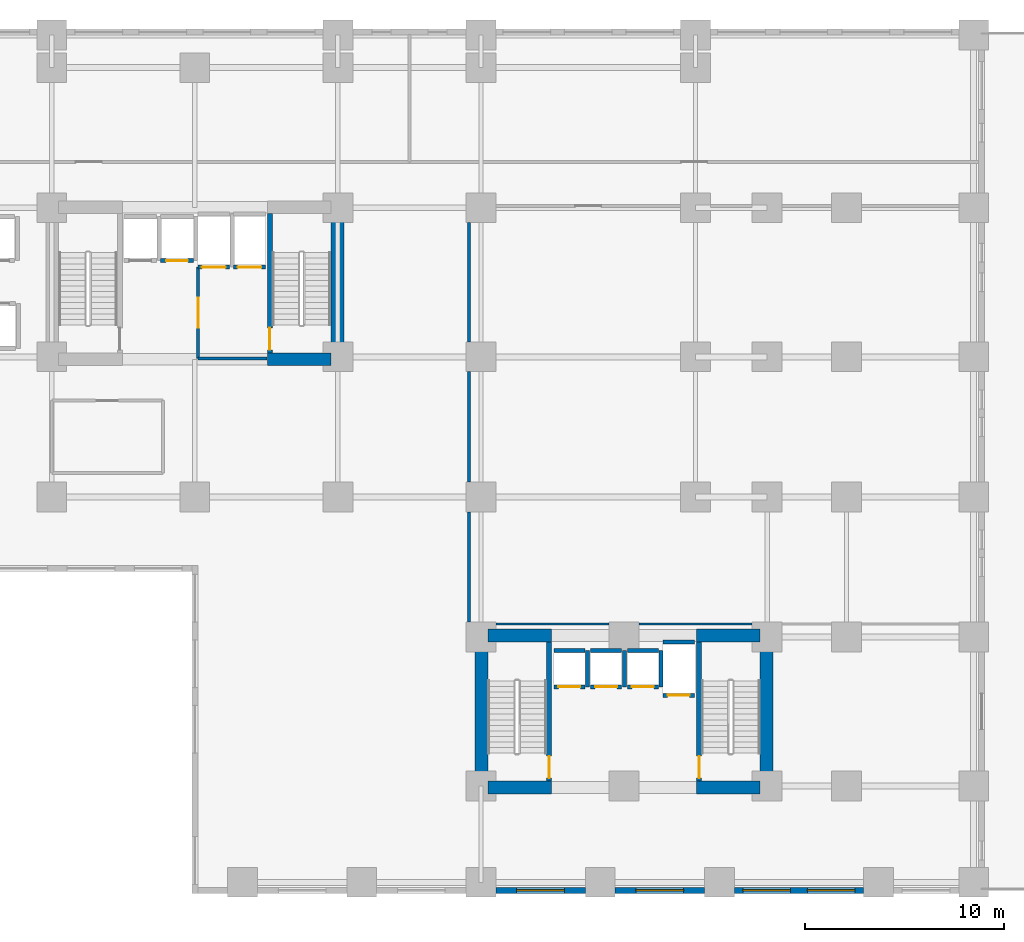
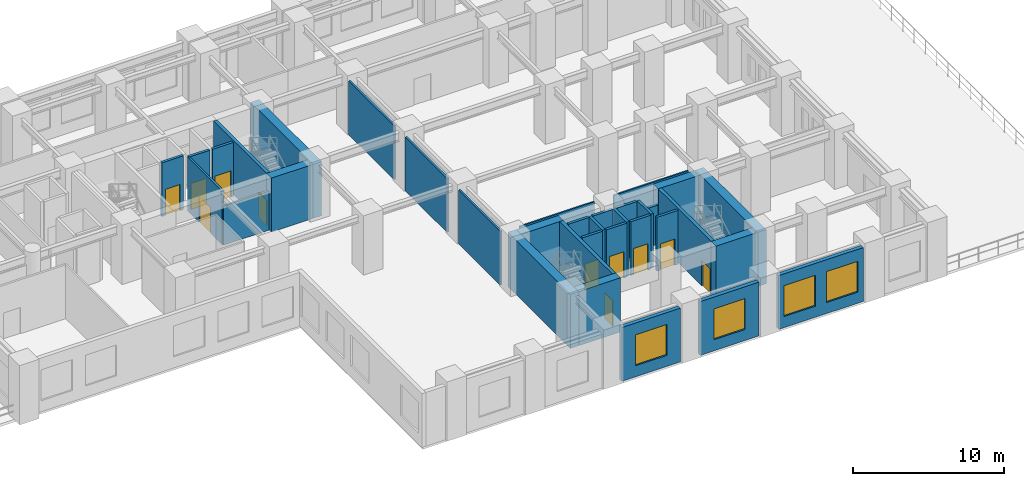
# One storey, part 4 of 10: 35 walls, 11 doors, 4 windows, 15 openings.
"""IFC4 building model written with IfcOpenShell, lengths in metres."""

import ifcopenshell
import ifcopenshell.guid

model = None  # the IFC model being written
_history = None  # IfcOwnerHistory: only IFC2X3 demands one
_inside = {}  # id of a spatial element -> (the spatial element, [elements in it])
_under = {}  # id of a project, library or spatial element -> (it, [spatial elements below it])
_declared = {}  # id of a project -> (the project, [libraries it declares])
_typed = {}  # id of a type object -> (the type object, [elements of that type])
_made_of = {}  # id of a material, layer set ... -> (it, [elements and type objects made of it])


def new_model(schema):
    """Start an empty IFC model of exactly this schema.

    Asked for "IFC4X3", IfcOpenShell would pick the latest addendum, in which some entities
    have other attributes; the version numbers below select the first issue.
    IFC2X3 requires an IfcOwnerHistory on every rooted entity: one is made here for all.
    """
    global model, _history
    if schema == "IFC4X3":
        model = ifcopenshell.file(schema_version=(4, 3, 0, 0))
    else:
        model = ifcopenshell.file(schema=schema)
    _inside.clear()
    _under.clear()
    _declared.clear()
    _typed.clear()
    _made_of.clear()
    _history = None
    if model.schema == "IFC2X3":
        org = make("IfcOrganization", Name="unknown")
        user = make(
            "IfcPersonAndOrganization",
            ThePerson=make("IfcPerson", FamilyName="unknown"),
            TheOrganization=org,
        )
        app = make(
            "IfcApplication",
            ApplicationDeveloper=org,
            Version="unknown",
            ApplicationFullName="unknown",
            ApplicationIdentifier="unknown",
        )
        _history = make(
            "IfcOwnerHistory",
            OwningUser=user,
            OwningApplication=app,
            ChangeAction="ADDED",
            CreationDate=0,
        )
    return model


def make(cls, **values):
    """One entity of the class cls with the attributes given. An attribute that is None is left unset."""
    return model.create_entity(
        cls, **{name: value for name, value in values.items() if value is not None}
    )


def rooted(cls, **values):
    """An entity with a GlobalId (a new one), such as an element, a storey or a relation."""
    return make(cls, GlobalId=ifcopenshell.guid.new(), OwnerHistory=_history, **values)


def si_unit(unit_type, name, prefix=None):
    """IfcSIUnit, for example si_unit("LENGTHUNIT", "METRE", prefix="MILLI")."""
    return make("IfcSIUnit", UnitType=unit_type, Prefix=prefix, Name=name)


def assignment(units):
    """IfcUnitAssignment: the units of a project."""
    return None if units is None else make("IfcUnitAssignment", Units=units)


def point(xyz):
    """IfcCartesianPoint."""
    return None if xyz is None else make("IfcCartesianPoint", Coordinates=xyz)


def direction(xyz):
    """IfcDirection."""
    return None if xyz is None else make("IfcDirection", DirectionRatios=xyz)


def frame(location, z_axis=None, x_axis=None):
    """IfcAxis2Placement3D, a coordinate frame: its origin and axes. An axis left out is left unset."""
    return make(
        "IfcAxis2Placement3D",
        Location=point(location),
        Axis=direction(z_axis),
        RefDirection=direction(x_axis),
    )


def frame_2d(location, x_axis=None):
    """IfcAxis2Placement2D, a coordinate frame in the plane: its origin and x axis."""
    return make(
        "IfcAxis2Placement2D", Location=point(location), RefDirection=direction(x_axis)
    )


def origin():
    """The frame at (0, 0, 0) with its axes left unset."""
    return frame((0.0, 0.0, 0.0))


def place(relative_to, where):
    """IfcLocalPlacement: puts the frame where relative to a parent placement (None: the world)."""
    return make(
        "IfcLocalPlacement", PlacementRelTo=relative_to, RelativePlacement=where
    )


def context(
    kind, dimensions, precision=None, world=None, true_north=None, identifier=None
):
    """IfcGeometricRepresentationContext, for example the 3D "Model" context."""
    return make(
        "IfcGeometricRepresentationContext",
        ContextIdentifier=identifier,
        ContextType=kind,
        CoordinateSpaceDimension=dimensions,
        Precision=precision,
        WorldCoordinateSystem=world,
        TrueNorth=true_north,
    )


def subcontext(parent, identifier, kind, view, scale=None):
    """IfcGeometricRepresentationSubContext, for example "Body" below "Model"."""
    return make(
        "IfcGeometricRepresentationSubContext",
        ContextIdentifier=identifier,
        ContextType=kind,
        ParentContext=parent,
        TargetScale=scale,
        TargetView=view,
    )


def project(units=None, contexts=None):
    """IfcProject with its units and contexts."""
    return rooted(
        "IfcProject",
        Name="project",
        RepresentationContexts=contexts,
        UnitsInContext=assignment(units),
    )


def spatial(cls, under=None, at=None, **own):
    """A site, building, storey or space (cls), placed at a placement, below another one or the project."""
    s = rooted(cls, ObjectPlacement=at, **own)
    if under is not None:
        _under.setdefault(under.id(), (under, []))[1].append(s)
    return s


def profile(cls, at=None, kind="AREA", **sizes):
    """A parametric profile (cls). Its sizes go by their IFC names, for example OverallWidth=200.0."""
    return make(cls, ProfileType=kind, Position=at, **sizes)


def rectangle(**sizes):
    """IfcRectangleProfileDef."""
    return profile("IfcRectangleProfileDef", **sizes)


def extrude(swept, where, along, depth):
    """IfcExtrudedAreaSolid: the profile swept, set in the frame where, extruded along a direction by depth."""
    return make(
        "IfcExtrudedAreaSolid",
        SweptArea=swept,
        Position=where,
        ExtrudedDirection=direction(along),
        Depth=depth,
    )


def shape(context_of_items, identifier, shape_type, items):
    """IfcShapeRepresentation: the items that make up one representation, for example the "Body"."""
    return make(
        "IfcShapeRepresentation",
        ContextOfItems=context_of_items,
        RepresentationIdentifier=identifier,
        RepresentationType=shape_type,
        Items=items,
    )


def material(Name=None, Category=None):
    """IfcMaterial."""
    return make("IfcMaterial", Name=Name, Category=Category)


def layer(
    of_material, thickness, ventilated=None, Name=None, Category=None, Priority=None
):
    """IfcMaterialLayer: one layer of a wall or slab, of a material (None: an air gap)."""
    return make(
        "IfcMaterialLayer",
        Material=of_material,
        LayerThickness=thickness,
        IsVentilated=ventilated,
        Name=Name,
        Category=Category,
        Priority=Priority,
    )


def layer_set(layers, Name=None):
    """IfcMaterialLayerSet."""
    return make("IfcMaterialLayerSet", MaterialLayers=layers, LayerSetName=Name)


def made_of(thing, what):
    """Note that an element or type object is made of a material, layer set ...; save() writes the relation."""
    if what is not None:
        _made_of.setdefault(what.id(), (what, []))[1].append(thing)
    return thing


def type_object(cls, material=None, **own):
    """A type object (cls), such as IfcWallType, which elements share."""
    return made_of(rooted(cls, **own), material)


def element(
    cls,
    number,
    at=None,
    inside=None,
    cuts=None,
    type_object=None,
    material=None,
    context=None,
    identifier="Body",
    shape_type=None,
    held_by="IfcProductDefinitionShape",
    body=None,
    shapes=None,
    **own,
):
    """One element of the class cls, such as IfcWall. Its Tag is "e" and its number.

    at: its placement. inside: the storey or other place that contains it. cuts: it is an
    opening in that element (IfcRelVoidsElement). A single representation is given by context,
    identifier, shape_type and body (its items); several are given by shapes. held_by: the class
    of the entity that holds the representations. save() writes the other relations.
    """
    e = rooted(cls, Tag="e%d" % number, ObjectPlacement=at, **own)
    if body is not None:
        shapes = [shape(context, identifier, shape_type, body)]
    if shapes is not None:
        e.Representation = make(held_by, Representations=shapes)
    if inside is not None:
        _inside.setdefault(inside.id(), (inside, []))[1].append(e)
    if cuts is not None:
        rooted(
            "IfcRelVoidsElement", RelatingBuildingElement=cuts, RelatedOpeningElement=e
        )
    if type_object is not None:
        _typed.setdefault(type_object.id(), (type_object, []))[1].append(e)
    return made_of(e, material)


def fill(opening, filler):
    """IfcRelFillsElement: the door or window that sits in an opening."""
    return rooted(
        "IfcRelFillsElement",
        RelatingOpeningElement=opening,
        RelatedBuildingElement=filler,
    )


def aggregate(whole, parts):
    """IfcRelAggregates: a whole, such as a stair, and the parts it consists of."""
    return rooted("IfcRelAggregates", RelatingObject=whole, RelatedObjects=parts)


def save(model, path):
    """Write the relations noted so far, then the file.

    IfcRelAggregates (storeys below a building ...), IfcRelContainedInSpatialStructure (elements
    in a storey), IfcRelDefinesByType, IfcRelAssociatesMaterial and IfcRelDeclares: one each for
    every whole, place, type object, material and project.
    """
    for whole, parts in _under.values():
        aggregate(whole, parts)
    for where, things in _inside.values():
        rooted(
            "IfcRelContainedInSpatialStructure",
            RelatedElements=things,
            RelatingStructure=where,
        )
    for kind, things in _typed.values():
        rooted("IfcRelDefinesByType", RelatedObjects=things, RelatingType=kind)
    for what, things in _made_of.values():
        rooted("IfcRelAssociatesMaterial", RelatedObjects=things, RelatingMaterial=what)
    for by, libraries in _declared.values():
        rooted("IfcRelDeclares", RelatingContext=by, RelatedDefinitions=libraries)
    model.write(path)


model = new_model("IFC4")

# Units and contexts
model_context = context("Model", 3, precision=1e-05, world=origin(), true_north=direction((0.0, 1.0)))
body_context = subcontext(model_context, "Body", "Model", "MODEL_VIEW")
ifc_project = project(units=[si_unit("LENGTHUNIT", "METRE"), si_unit("AREAUNIT", "SQUARE_METRE"), si_unit("VOLUMEUNIT", "CUBIC_METRE"), si_unit("PLANEANGLEUNIT", "RADIAN"), si_unit("MASSUNIT", "GRAM", prefix="KILO")], contexts=[model_context])

# Site, building, storey
site_placement = place(None, origin())
site = spatial("IfcSite", under=ifc_project, at=site_placement, CompositionType="ELEMENT")
building_placement = place(site_placement, origin())
building = spatial("IfcBuilding", under=site, at=building_placement, Name="Kaliganga Portal Commons", CompositionType="ELEMENT")
storey_placement = place(building_placement, frame((0.0, 0.0, 15.0)))
storey = spatial("IfcBuildingStorey", under=building, at=storey_placement, Name="L03", CompositionType="ELEMENT", Elevation=15.0)

# Walls
ifc_material_1 = material(Name="Concrete C70/85", Category="concrete")
ifc_layer_1 = layer(ifc_material_1, 0.64990234375)
ifc_layer_set_1 = layer_set([ifc_layer_1], Name="Concrete C70/85")
wall_type_1 = type_object("IfcWallType", Name="WL-CORE-650", PredefinedType="SHEAR", material=ifc_layer_set_1)
wall_1_placement = place(storey_placement, frame((28.77490234375, 28.199951171875, 0.0), z_axis=(0.0, 0.0, 1.0), x_axis=(0.0, 1.0, 0.0)))
element("IfcWall", 1, at=wall_1_placement, inside=storey, type_object=wall_type_1, Name="Core A East Shear Wall L03", PredefinedType="SHEAR", context=body_context, shape_type="SweptSolid", body=[
    extrude(rectangle(XDim=8.300048828125, YDim=0.64990234375, at=frame_2d((4.14990234375, 0.0))), origin(), (0.0, 0.0, 1.0), 4.3798828125),
])
wall_2_placement = place(storey_placement, frame((25.25, 28.52490234375, 0.0), z_axis=(0.0, 0.0, 1.0), x_axis=(1.0, 0.0, 0.0)))
element("IfcWall", 2, at=wall_2_placement, inside=storey, type_object=wall_type_1, Name="Core A S-East Shear Wall L03", PredefinedType="SHEAR", context=body_context, shape_type="SweptSolid", body=[
    extrude(rectangle(XDim=3.199951171875, YDim=0.64990234375, at=frame_2d((1.60009765625, 0.0))), origin(), (0.0, 0.0, 1.0), 4.3798828125),
])
for number, where, z_axis, x_axis, name in (
    (3, (36.02490234375, 6.64990234375, 0.0), (0.0, 0.0, 1.0), (0.0, 1.0, 0.0), "Core B West Shear Wall L03"),
    (4, (50.375, 6.64990234375, 0.0), (0.0, 0.0, 1.0), (0.0, 1.0, 0.0), "Core B East Shear Wall L03"),
):
    element("IfcWall", number, at=place(storey_placement, frame(where, z_axis=z_axis, x_axis=x_axis)), inside=storey, type_object=wall_type_1, Name=name, PredefinedType="SHEAR", context=body_context, shape_type="SweptSolid", body=[
        extrude(rectangle(XDim=8.300048828125, YDim=0.64990234375, at=frame_2d((4.14990234375, 0.0))), origin(), (0.0, 0.0, 1.0), 4.3798828125),
    ])
for number, where, z_axis, x_axis, name in (
    (5, (36.35009765625, 6.97509765625, 0.0), (0.0, 0.0, 1.0), (1.0, 0.0, 0.0), "Core B S-West Shear Wall L03"),
    (6, (46.85009765625, 6.97509765625, 0.0), (0.0, 0.0, 1.0), (1.0, 0.0, 0.0), "Core B S-East Shear Wall L03"),
    (7, (36.35009765625, 14.625, 0.0), (0.0, 0.0, 1.0), (1.0, 0.0, 0.0), "Core B N-West Shear Wall L03"),
    (8, (46.85009765625, 14.625, 0.0), (0.0, 0.0, 1.0), (1.0, 0.0, 0.0), "Core B N-East Shear Wall L03"),
):
    element("IfcWall", number, at=place(storey_placement, frame(where, z_axis=z_axis, x_axis=x_axis)), inside=storey, type_object=wall_type_1, Name=name, PredefinedType="SHEAR", context=body_context, shape_type="SweptSolid", body=[
        extrude(rectangle(XDim=3.199951171875, YDim=0.64990234375, at=frame_2d((1.60009765625, 0.0))), origin(), (0.0, 0.0, 1.0), 4.3798828125),
    ])

# Wall, opening, window
ifc_material_2 = material(Name="Precast concrete C40/50", Category="concrete")
ifc_layer_2 = layer(ifc_material_2, 0.300048828125)
ifc_layer_set_2 = layer_set([ifc_layer_2], Name="Precast concrete C40/50")
wall_type_2 = type_object("IfcWallType", Name="WL-EXT-POD-300", PredefinedType="STANDARD", material=ifc_layer_set_2)
wall_3_placement = place(storey_placement, frame((41.2490234375, 1.800048828125, 0.0), z_axis=(0.0, 0.0, 1.0), x_axis=(-1.0, 0.0, 0.0)))
wall_3 = element("IfcWall", 9, at=wall_3_placement, inside=storey, type_object=wall_type_2, Name="Exterior Envelope Wall L03 P1-E00-S4", PredefinedType="STANDARD", context=body_context, shape_type="SweptSolid", body=[
    extrude(rectangle(XDim=4.498046875, YDim=0.300048828125, at=frame_2d((2.2490234375, 0.0))), origin(), (0.0, 0.0, 1.0), 4.360107421875),
])
opening_1_placement = place(wall_3_placement, frame((1.049072265625, 0.0, 0.89990234375)))
opening_1 = element("IfcOpeningElement", 10, at=opening_1_placement, cuts=wall_3, Name="Opening W-05", PredefinedType="OPENING", context=body_context, shape_type="SweptSolid", body=[
    extrude(rectangle(XDim=2.39990234375, YDim=2.5, at=frame_2d((1.199951171875, 1.25))), frame((0.0, 0.16015625, 0.0), z_axis=(0.0, -1.0, 0.0), x_axis=(1.0, 0.0, 0.0)), (0.0, 0.0, 1.0), 0.320068359375),
])
ifc_material_3 = material(Name="Thermally Broken Aluminium and Low-E Double Glazing", Category="aluminium")
window_type = type_object("IfcWindowType", Name="WIN-POD-2400", PartitioningType="TRIPLE_PANEL_VERTICAL", PredefinedType="WINDOW", material=ifc_material_3)
window_1_placement = place(opening_1_placement, origin())
window_1 = element("IfcWindow", 11, at=window_1_placement, inside=storey, type_object=window_type, Name="Facade Window L03-P1E00S4-00", OverallHeight=2.5, OverallWidth=2.39990234375, PartitioningType="SINGLE_PANEL", PredefinedType="WINDOW", context=body_context, shape_type="SweptSolid", body=[
    extrude(rectangle(XDim=2.39990234375, YDim=2.5, at=frame_2d((1.199951171875, 1.25))), frame((0.0, 0.030029296875, 0.0), z_axis=(0.0, -1.0, 0.0), x_axis=(1.0, 0.0, 0.0)), (0.0, 0.0, 1.0), 0.06005859375),
])
fill(opening_1, window_1)

wall_4_placement = place(storey_placement, frame((47.2490234375, 1.800048828125, 0.0), z_axis=(0.0, 0.0, 1.0), x_axis=(-1.0, 0.0, 0.0)))
wall_4 = element("IfcWall", 12, at=wall_4_placement, inside=storey, type_object=wall_type_2, Name="Exterior Envelope Wall L03 P1-E00-S5", PredefinedType="STANDARD", context=body_context, shape_type="SweptSolid", body=[
    extrude(rectangle(XDim=4.498046875, YDim=0.300048828125, at=frame_2d((2.2490234375, 0.0))), origin(), (0.0, 0.0, 1.0), 4.360107421875),
])
opening_2_placement = place(wall_4_placement, frame((1.049072265625, 0.0, 0.89990234375)))
opening_2 = element("IfcOpeningElement", 13, at=opening_2_placement, cuts=wall_4, Name="Opening W-05", PredefinedType="OPENING", context=body_context, shape_type="SweptSolid", body=[
    extrude(rectangle(XDim=2.39990234375, YDim=2.5, at=frame_2d((1.199951171875, 1.25))), frame((0.0, 0.16015625, 0.0), z_axis=(0.0, -1.0, 0.0), x_axis=(1.0, 0.0, 0.0)), (0.0, 0.0, 1.0), 0.320068359375),
])
window_2_placement = place(opening_2_placement, origin())
window_2 = element("IfcWindow", 14, at=window_2_placement, inside=storey, type_object=window_type, Name="Facade Window L03-P1E00S5-00", OverallHeight=2.5, OverallWidth=2.39990234375, PartitioningType="SINGLE_PANEL", PredefinedType="WINDOW", context=body_context, shape_type="SweptSolid", body=[
    extrude(rectangle(XDim=2.39990234375, YDim=2.5, at=frame_2d((1.199951171875, 1.25))), frame((0.0, 0.030029296875, 0.0), z_axis=(0.0, -1.0, 0.0), x_axis=(1.0, 0.0, 0.0)), (0.0, 0.0, 1.0), 0.06005859375),
])
fill(opening_2, window_2)

# Wall, openings, windows
wall_5_placement = place(storey_placement, frame((55.2490234375, 1.800048828125, 0.0), z_axis=(0.0, 0.0, 1.0), x_axis=(-1.0, 0.0, 0.0)))
wall_5 = element("IfcWall", 15, at=wall_5_placement, inside=storey, type_object=wall_type_2, Name="Exterior Envelope Wall L03 P1-E00-S6", PredefinedType="STANDARD", context=body_context, shape_type="SweptSolid", body=[
    extrude(rectangle(XDim=6.498046875, YDim=0.300048828125, at=frame_2d((3.2490234375, 0.0))), origin(), (0.0, 0.0, 1.0), 4.360107421875),
])
opening_3_placement = place(wall_5_placement, frame((0.424560546875, 0.0, 0.89990234375)))
opening_3 = element("IfcOpeningElement", 16, at=opening_3_placement, cuts=wall_5, Name="Opening W-05", PredefinedType="OPENING", context=body_context, shape_type="SweptSolid", body=[
    extrude(rectangle(XDim=2.39990234375, YDim=2.5, at=frame_2d((1.199951171875, 1.25))), frame((0.0, 0.16015625, 0.0), z_axis=(0.0, -1.0, 0.0), x_axis=(1.0, 0.0, 0.0)), (0.0, 0.0, 1.0), 0.320068359375),
])
opening_4_placement = place(wall_5_placement, frame((3.673583984375, 0.0, 0.89990234375)))
opening_4 = element("IfcOpeningElement", 17, at=opening_4_placement, cuts=wall_5, Name="Opening W-05", PredefinedType="OPENING", context=body_context, shape_type="SweptSolid", body=[
    extrude(rectangle(XDim=2.39990234375, YDim=2.5, at=frame_2d((1.199951171875, 1.25))), frame((0.0, 0.16015625, 0.0), z_axis=(0.0, -1.0, 0.0), x_axis=(1.0, 0.0, 0.0)), (0.0, 0.0, 1.0), 0.320068359375),
])
window_3_placement = place(opening_3_placement, origin())
window_3 = element("IfcWindow", 18, at=window_3_placement, inside=storey, type_object=window_type, Name="Facade Window L03-P1E00S6-00", OverallHeight=2.5, OverallWidth=2.39990234375, PartitioningType="SINGLE_PANEL", PredefinedType="WINDOW", context=body_context, shape_type="SweptSolid", body=[
    extrude(rectangle(XDim=2.39990234375, YDim=2.5, at=frame_2d((1.199951171875, 1.25))), frame((0.0, 0.030029296875, 0.0), z_axis=(0.0, -1.0, 0.0), x_axis=(1.0, 0.0, 0.0)), (0.0, 0.0, 1.0), 0.06005859375),
])
fill(opening_3, window_3)
window_4_placement = place(opening_4_placement, origin())
window_4 = element("IfcWindow", 19, at=window_4_placement, inside=storey, type_object=window_type, Name="Facade Window L03-P1E00S6-01", OverallHeight=2.5, OverallWidth=2.39990234375, PartitioningType="SINGLE_PANEL", PredefinedType="WINDOW", context=body_context, shape_type="SweptSolid", body=[
    extrude(rectangle(XDim=2.39990234375, YDim=2.5, at=frame_2d((1.199951171875, 1.25))), frame((0.0, 0.030029296875, 0.0), z_axis=(0.0, -1.0, 0.0), x_axis=(1.0, 0.0, 0.0)), (0.0, 0.0, 1.0), 0.06005859375),
])
fill(opening_4, window_4)

# Walls
ifc_material_4 = material(Name="Fire-Rated Gypsum Board on Steel Stud", Category="steel")
ifc_layer_3 = layer(ifc_material_4, 0.14990234375)
ifc_layer_set_3 = layer_set([ifc_layer_3], Name="Fire-Rated Gypsum Board on Steel Stud")
wall_type_3 = type_object("IfcWallType", Name="WL-PART-CORR-150", PredefinedType="PARTITIONING", material=ifc_layer_set_3)
wall_6_placement = place(storey_placement, frame((35.39990234375, 15.300048828125, 0.0), z_axis=(0.0, 0.0, 1.0), x_axis=(0.0, 1.0, 0.0)))
element("IfcWall", 20, at=wall_6_placement, inside=storey, type_object=wall_type_3, Name="Interior Partition L03-007", PredefinedType="PARTITIONING", context=body_context, shape_type="SweptSolid", body=[
    extrude(rectangle(XDim=5.550048828125, YDim=0.14990234375, at=frame_2d((2.77490234375, 0.0))), origin(), (0.0, 0.0, 1.0), 4.360107421875),
])
wall_7_placement = place(storey_placement, frame((35.39990234375, 22.35009765625, 0.0), z_axis=(0.0, 0.0, 1.0), x_axis=(0.0, 1.0, 0.0)))
element("IfcWall", 21, at=wall_7_placement, inside=storey, type_object=wall_type_3, Name="Interior Partition L03-008", PredefinedType="PARTITIONING", context=body_context, shape_type="SweptSolid", body=[
    extrude(rectangle(XDim=5.5498046875, YDim=0.14990234375, at=frame_2d((2.77490234375, 0.0))), origin(), (0.0, 0.0, 1.0), 4.360107421875),
])
wall_8_placement = place(storey_placement, frame((35.39990234375, 29.39990234375, 0.0), z_axis=(0.0, 0.0, 1.0), x_axis=(0.0, 1.0, 0.0)))
element("IfcWall", 22, at=wall_8_placement, inside=storey, type_object=wall_type_3, Name="Interior Partition L03-009", PredefinedType="PARTITIONING", context=body_context, shape_type="SweptSolid", body=[
    extrude(rectangle(XDim=6.0, YDim=0.14990234375, at=frame_2d((3.0, 0.0))), origin(), (0.0, 0.0, 1.0), 4.360107421875),
])

# Wall, opening, door
wall_9_placement = place(storey_placement, frame((21.760009765625, 28.56005859375, 0.0), z_axis=(0.0, 0.0, 1.0), x_axis=(0.0, 1.0, 0.0)))
wall_9 = element("IfcWall", 23, at=wall_9_placement, inside=storey, type_object=wall_type_3, Name="Interior Partition L03-024", PredefinedType="PARTITIONING", context=body_context, shape_type="SweptSolid", body=[
    extrude(rectangle(XDim=4.599853515625, YDim=0.14990234375, at=frame_2d((2.2998046875, 0.0))), origin(), (0.0, 0.0, 1.0), 4.360107421875),
])
opening_5_placement = place(wall_9_placement, frame((1.550048828125, 0.0, 0.0)))
opening_5 = element("IfcOpeningElement", 24, at=opening_5_placement, cuts=wall_9, Name="Opening FD-01", PredefinedType="OPENING", context=body_context, shape_type="SweptSolid", body=[
    extrude(rectangle(XDim=1.5, YDim=2.10009765625, at=frame_2d((0.75, 1.050048828125))), frame((0.0, 0.0849609375, 0.0), z_axis=(0.0, -1.0, 0.0), x_axis=(1.0, 0.0, 0.0)), (0.0, 0.0, 1.0), 0.169921875),
])
ifc_material_5 = material(Name="Fire-Rated Hardwood and Georgian-Wired Vision Panel", Category="wood")
door_type_1 = type_object("IfcDoorType", Name="DR-LOBBY-1500", OperationType="DOUBLE_DOOR_SINGLE_SWING", PredefinedType="DOOR", material=ifc_material_5)
door_1_placement = place(opening_5_placement, origin())
door_1 = element("IfcDoor", 25, at=door_1_placement, inside=storey, type_object=door_type_1, Name="Interior Door L03-FFLOB_A", OperationType="DOUBLE_DOOR_SINGLE_SWING", OverallHeight=2.10009765625, OverallWidth=1.5, PredefinedType="DOOR", context=body_context, shape_type="SweptSolid", body=[
    extrude(rectangle(XDim=1.5, YDim=2.10009765625, at=frame_2d((0.75, 1.050048828125))), frame((0.0, 0.02490234375, 0.0), z_axis=(0.0, -1.0, 0.0), x_axis=(1.0, 0.0, 0.0)), (0.0, 0.0, 1.0), 0.050048828125),
])
fill(opening_5, door_1)

# Walls
wall_10_placement = place(storey_placement, frame((21.760009765625, 28.56005859375, 0.0), z_axis=(0.0, 0.0, 1.0), x_axis=(1.0, 0.0, 0.0)))
element("IfcWall", 26, at=wall_10_placement, inside=storey, type_object=wall_type_3, Name="Interior Partition L03-027", PredefinedType="PARTITIONING", context=body_context, shape_type="SweptSolid", body=[
    extrude(rectangle(XDim=3.47998046875, YDim=0.14990234375, at=frame_2d((1.739990234375, 0.0))), origin(), (0.0, 0.0, 1.0), 3.159912109375),
])
ifc_material_6 = material(Name="Moisture-Resistant Gypsum Partition", Category="gypsum")
ifc_layer_4 = layer(ifc_material_6, 0.114990234375)
ifc_layer_set_4 = layer_set([ifc_layer_4], Name="Moisture-Resistant Gypsum Partition")
wall_type_4 = type_object("IfcWallType", Name="WL-PART-ROOM-115", PredefinedType="PARTITIONING", material=ifc_layer_set_4)
for number, where, z_axis, x_axis, name in (
    (27, (36.75, 15.199951171875, 0.0), (0.0, 0.0, 1.0), (1.0, 0.0, 0.0), "Interior Partition L03-017"),
    (28, (43.949951171875, 15.199951171875, 0.0), (0.0, 0.0, 1.0), (1.0, 0.0, 0.0), "Interior Partition L03-018"),
):
    element("IfcWall", number, at=place(storey_placement, frame(where, z_axis=z_axis, x_axis=x_axis)), inside=storey, type_object=wall_type_4, Name=name, PredefinedType="PARTITIONING", context=body_context, shape_type="SweptSolid", body=[
        extrude(rectangle(XDim=5.699951171875, YDim=0.114990234375, at=frame_2d((2.85009765625, 0.0))), origin(), (0.0, 0.0, 1.0), 4.360107421875),
    ])

# Wall, opening, door
ifc_material_7 = material(Name="Fire-Rated Shaftwall Masonry Assembly", Category="masonry")
ifc_layer_5 = layer(ifc_material_7, 0.199951171875)
ifc_layer_set_5 = layer_set([ifc_layer_5], Name="Fire-Rated Shaftwall Masonry Assembly")
wall_type_5 = type_object("IfcWallType", Name="WL-SHAFT-200", PredefinedType="PARTITIONING", material=ifc_layer_set_5)
wall_11_placement = place(storey_placement, frame((19.875, 33.485107421875, 0.0), z_axis=(0.0, 0.0, 1.0), x_axis=(1.0, 0.0, 0.0)))
wall_11 = element("IfcWall", 29, at=wall_11_placement, inside=storey, type_object=wall_type_5, Name="Lift PL-A2 Hoistway Shaft Wall L03-S", PredefinedType="PARTITIONING", context=body_context, shape_type="SweptSolid", body=[
    extrude(rectangle(XDim=1.64990234375, YDim=0.199951171875, at=frame_2d((0.824951171875, 0.0))), origin(), (0.0, 0.0, 1.0), 4.360107421875),
])
opening_6_placement = place(wall_11_placement, frame((0.27490234375, 0.0, 0.0)))
opening_6 = element("IfcOpeningElement", 30, at=opening_6_placement, cuts=wall_11, Name="Opening LD-01", PredefinedType="OPENING", context=body_context, shape_type="SweptSolid", body=[
    extrude(rectangle(XDim=1.10009765625, YDim=2.1201171875, at=frame_2d((0.550048828125, 1.06005859375))), frame((0.0, 0.10986328125, 0.0), z_axis=(0.0, -1.0, 0.0), x_axis=(1.0, 0.0, 0.0)), (0.0, 0.0, 1.0), 0.219970703125),
])
ifc_material_8 = material(Name="Brushed Stainless Steel 316 Lift Landing Door", Category="steel")
door_type_2 = type_object("IfcDoorType", Name="DR-LIFT-1100", OperationType="SLIDING_TO_LEFT", PredefinedType="DOOR", material=ifc_material_8)
door_2_placement = place(opening_6_placement, origin())
door_2 = element("IfcDoor", 31, at=door_2_placement, inside=storey, type_object=door_type_2, Name="Lift PL-A2 Sliding Landing Door L03", OperationType="SLIDING_TO_LEFT", OverallHeight=2.1201171875, OverallWidth=1.10009765625, PredefinedType="DOOR", context=body_context, shape_type="SweptSolid", body=[
    extrude(rectangle(XDim=1.10009765625, YDim=2.1201171875, at=frame_2d((0.550048828125, 1.06005859375))), frame((0.0, 0.02490234375, 0.0), z_axis=(0.0, -1.0, 0.0), x_axis=(1.0, 0.0, 0.0)), (0.0, 0.0, 1.0), 0.050048828125),
])
fill(opening_6, door_2)

wall_12_placement = place(storey_placement, frame((21.75, 33.159912109375, 0.0), z_axis=(0.0, 0.0, 1.0), x_axis=(1.0, 0.0, 0.0)))
wall_12 = element("IfcWall", 32, at=wall_12_placement, inside=storey, type_object=wall_type_5, Name="Lift FFL-1 Hoistway Shaft Wall L03-S", PredefinedType="PARTITIONING", context=body_context, shape_type="SweptSolid", body=[
    extrude(rectangle(XDim=1.60009765625, YDim=0.199951171875, at=frame_2d((0.800048828125, 0.0))), origin(), (0.0, 0.0, 1.0), 4.360107421875),
])
opening_7_placement = place(wall_12_placement, frame((0.199951171875, 0.0, 0.0)))
opening_7 = element("IfcOpeningElement", 33, at=opening_7_placement, cuts=wall_12, Name="Opening LD-02", PredefinedType="OPENING", context=body_context, shape_type="SweptSolid", body=[
    extrude(rectangle(XDim=1.199951171875, YDim=2.1201171875, at=frame_2d((0.60009765625, 1.06005859375))), frame((0.0, 0.10986328125, 0.0), z_axis=(0.0, -1.0, 0.0), x_axis=(1.0, 0.0, 0.0)), (0.0, 0.0, 1.0), 0.219970703125),
])
ifc_material_9 = material(Name="Brushed Stainless Steel 316 Stretcher Lift Landing Door", Category="steel")
door_type_3 = type_object("IfcDoorType", Name="DR-LIFT-1200", OperationType="SLIDING_TO_RIGHT", PredefinedType="DOOR", material=ifc_material_9)
door_3_placement = place(opening_7_placement, origin())
door_3 = element("IfcDoor", 34, at=door_3_placement, inside=storey, type_object=door_type_3, Name="Lift FFL-1 Sliding Landing Door L03", OperationType="SLIDING_TO_RIGHT", OverallHeight=2.1201171875, OverallWidth=1.199951171875, PredefinedType="DOOR", context=body_context, shape_type="SweptSolid", body=[
    extrude(rectangle(XDim=1.199951171875, YDim=2.1201171875, at=frame_2d((0.60009765625, 1.06005859375))), frame((0.0, 0.02490234375, 0.0), z_axis=(0.0, -1.0, 0.0), x_axis=(1.0, 0.0, 0.0)), (0.0, 0.0, 1.0), 0.050048828125),
])
fill(opening_7, door_3)

wall_13_placement = place(storey_placement, frame((23.550048828125, 33.159912109375, 0.0), z_axis=(0.0, 0.0, 1.0), x_axis=(1.0, 0.0, 0.0)))
wall_13 = element("IfcWall", 35, at=wall_13_placement, inside=storey, type_object=wall_type_5, Name="Lift FFL-2 Hoistway Shaft Wall L03-S", PredefinedType="PARTITIONING", context=body_context, shape_type="SweptSolid", body=[
    extrude(rectangle(XDim=1.599853515625, YDim=0.199951171875, at=frame_2d((0.7998046875, 0.0))), origin(), (0.0, 0.0, 1.0), 4.360107421875),
])
opening_8_placement = place(wall_13_placement, frame((0.199951171875, 0.0, 0.0)))
opening_8 = element("IfcOpeningElement", 36, at=opening_8_placement, cuts=wall_13, Name="Opening LD-02", PredefinedType="OPENING", context=body_context, shape_type="SweptSolid", body=[
    extrude(rectangle(XDim=1.199951171875, YDim=2.1201171875, at=frame_2d((0.60009765625, 1.06005859375))), frame((0.0, 0.10986328125, 0.0), z_axis=(0.0, -1.0, 0.0), x_axis=(1.0, 0.0, 0.0)), (0.0, 0.0, 1.0), 0.219970703125),
])
door_4_placement = place(opening_8_placement, origin())
door_4 = element("IfcDoor", 37, at=door_4_placement, inside=storey, type_object=door_type_3, Name="Lift FFL-2 Sliding Landing Door L03", OperationType="SLIDING_TO_RIGHT", OverallHeight=2.1201171875, OverallWidth=1.199951171875, PredefinedType="DOOR", context=body_context, shape_type="SweptSolid", body=[
    extrude(rectangle(XDim=1.199951171875, YDim=2.1201171875, at=frame_2d((0.60009765625, 1.06005859375))), frame((0.0, 0.02490234375, 0.0), z_axis=(0.0, -1.0, 0.0), x_axis=(1.0, 0.0, 0.0)), (0.0, 0.0, 1.0), 0.050048828125),
])
fill(opening_8, door_4)

wall_14_placement = place(storey_placement, frame((39.675048828125, 12.034912109375, 0.0), z_axis=(0.0, 0.0, 1.0), x_axis=(1.0, 0.0, 0.0)))
wall_14 = element("IfcWall", 38, at=wall_14_placement, inside=storey, type_object=wall_type_5, Name="Lift PL-B1 Hoistway Shaft Wall L03-S", PredefinedType="PARTITIONING", context=body_context, shape_type="SweptSolid", body=[
    extrude(rectangle(XDim=1.550048828125, YDim=0.199951171875, at=frame_2d((0.77490234375, 0.0))), origin(), (0.0, 0.0, 1.0), 4.360107421875),
])
opening_9_placement = place(wall_14_placement, frame((0.22509765625, 0.0, 0.0)))
opening_9 = element("IfcOpeningElement", 39, at=opening_9_placement, cuts=wall_14, Name="Opening LD-01", PredefinedType="OPENING", context=body_context, shape_type="SweptSolid", body=[
    extrude(rectangle(XDim=1.10009765625, YDim=2.1201171875, at=frame_2d((0.550048828125, 1.06005859375))), frame((0.0, 0.10986328125, 0.0), z_axis=(0.0, -1.0, 0.0), x_axis=(1.0, 0.0, 0.0)), (0.0, 0.0, 1.0), 0.219970703125),
])
door_5_placement = place(opening_9_placement, origin())
door_5 = element("IfcDoor", 40, at=door_5_placement, inside=storey, type_object=door_type_2, Name="Lift PL-B1 Sliding Landing Door L03", OperationType="SLIDING_TO_LEFT", OverallHeight=2.1201171875, OverallWidth=1.10009765625, PredefinedType="DOOR", context=body_context, shape_type="SweptSolid", body=[
    extrude(rectangle(XDim=1.10009765625, YDim=2.1201171875, at=frame_2d((0.550048828125, 1.06005859375))), frame((0.0, 0.02490234375, 0.0), z_axis=(0.0, -1.0, 0.0), x_axis=(1.0, 0.0, 0.0)), (0.0, 0.0, 1.0), 0.050048828125),
])
fill(opening_9, door_5)

# Walls
wall_15_placement = place(storey_placement, frame((39.675048828125, 13.864990234375, 0.0), z_axis=(0.0, 0.0, 1.0), x_axis=(1.0, 0.0, 0.0)))
element("IfcWall", 41, at=wall_15_placement, inside=storey, type_object=wall_type_5, Name="Lift PL-B1 Hoistway Shaft Wall L03-N", PredefinedType="PARTITIONING", context=body_context, shape_type="SweptSolid", body=[
    extrude(rectangle(XDim=1.550048828125, YDim=0.199951171875, at=frame_2d((0.77490234375, 0.0))), origin(), (0.0, 0.0, 1.0), 4.360107421875),
])
wall_16_placement = place(storey_placement, frame((41.364990234375, 12.034912109375, 0.0), z_axis=(0.0, 0.0, 1.0), x_axis=(0.0, 1.0, 0.0)))
element("IfcWall", 42, at=wall_16_placement, inside=storey, type_object=wall_type_5, Name="Lift PL-B1 Hoistway Shaft Wall L03-E", PredefinedType="PARTITIONING", context=body_context, shape_type="SweptSolid", body=[
    extrude(rectangle(XDim=1.830078125, YDim=0.199951171875, at=frame_2d((0.9150390625, 0.0))), origin(), (0.0, 0.0, 1.0), 4.360107421875),
])

# Wall, opening, door
wall_17_placement = place(storey_placement, frame((41.52490234375, 12.034912109375, 0.0), z_axis=(0.0, 0.0, 1.0), x_axis=(1.0, 0.0, 0.0)))
wall_17 = element("IfcWall", 43, at=wall_17_placement, inside=storey, type_object=wall_type_5, Name="Lift PL-B2 Hoistway Shaft Wall L03-S", PredefinedType="PARTITIONING", context=body_context, shape_type="SweptSolid", body=[
    extrude(rectangle(XDim=1.550048828125, YDim=0.199951171875, at=frame_2d((0.77490234375, 0.0))), origin(), (0.0, 0.0, 1.0), 4.360107421875),
])
opening_10_placement = place(wall_17_placement, frame((0.22509765625, 0.0, 0.0)))
opening_10 = element("IfcOpeningElement", 44, at=opening_10_placement, cuts=wall_17, Name="Opening LD-01", PredefinedType="OPENING", context=body_context, shape_type="SweptSolid", body=[
    extrude(rectangle(XDim=1.10009765625, YDim=2.1201171875, at=frame_2d((0.550048828125, 1.06005859375))), frame((0.0, 0.10986328125, 0.0), z_axis=(0.0, -1.0, 0.0), x_axis=(1.0, 0.0, 0.0)), (0.0, 0.0, 1.0), 0.219970703125),
])
door_6_placement = place(opening_10_placement, origin())
door_6 = element("IfcDoor", 45, at=door_6_placement, inside=storey, type_object=door_type_2, Name="Lift PL-B2 Sliding Landing Door L03", OperationType="SLIDING_TO_LEFT", OverallHeight=2.1201171875, OverallWidth=1.10009765625, PredefinedType="DOOR", context=body_context, shape_type="SweptSolid", body=[
    extrude(rectangle(XDim=1.10009765625, YDim=2.1201171875, at=frame_2d((0.550048828125, 1.06005859375))), frame((0.0, 0.02490234375, 0.0), z_axis=(0.0, -1.0, 0.0), x_axis=(1.0, 0.0, 0.0)), (0.0, 0.0, 1.0), 0.050048828125),
])
fill(opening_10, door_6)

# Walls
wall_18_placement = place(storey_placement, frame((41.52490234375, 13.864990234375, 0.0), z_axis=(0.0, 0.0, 1.0), x_axis=(1.0, 0.0, 0.0)))
element("IfcWall", 46, at=wall_18_placement, inside=storey, type_object=wall_type_5, Name="Lift PL-B2 Hoistway Shaft Wall L03-N", PredefinedType="PARTITIONING", context=body_context, shape_type="SweptSolid", body=[
    extrude(rectangle(XDim=1.550048828125, YDim=0.199951171875, at=frame_2d((0.77490234375, 0.0))), origin(), (0.0, 0.0, 1.0), 4.360107421875),
])
wall_19_placement = place(storey_placement, frame((43.215087890625, 12.034912109375, 0.0), z_axis=(0.0, 0.0, 1.0), x_axis=(0.0, 1.0, 0.0)))
element("IfcWall", 47, at=wall_19_placement, inside=storey, type_object=wall_type_5, Name="Lift PL-B2 Hoistway Shaft Wall L03-E", PredefinedType="PARTITIONING", context=body_context, shape_type="SweptSolid", body=[
    extrude(rectangle(XDim=1.830078125, YDim=0.199951171875, at=frame_2d((0.9150390625, 0.0))), origin(), (0.0, 0.0, 1.0), 4.360107421875),
])

# Wall, opening, door
wall_20_placement = place(storey_placement, frame((43.375, 12.034912109375, 0.0), z_axis=(0.0, 0.0, 1.0), x_axis=(1.0, 0.0, 0.0)))
wall_20 = element("IfcWall", 48, at=wall_20_placement, inside=storey, type_object=wall_type_5, Name="Lift SH-2 Hoistway Shaft Wall L03-S", PredefinedType="PARTITIONING", context=body_context, shape_type="SweptSolid", body=[
    extrude(rectangle(XDim=1.550048828125, YDim=0.199951171875, at=frame_2d((0.77490234375, 0.0))), origin(), (0.0, 0.0, 1.0), 4.360107421875),
])
opening_11_placement = place(wall_20_placement, frame((0.22509765625, 0.0, 0.0)))
opening_11 = element("IfcOpeningElement", 49, at=opening_11_placement, cuts=wall_20, Name="Opening LD-01", PredefinedType="OPENING", context=body_context, shape_type="SweptSolid", body=[
    extrude(rectangle(XDim=1.10009765625, YDim=2.1201171875, at=frame_2d((0.550048828125, 1.06005859375))), frame((0.0, 0.10986328125, 0.0), z_axis=(0.0, -1.0, 0.0), x_axis=(1.0, 0.0, 0.0)), (0.0, 0.0, 1.0), 0.219970703125),
])
door_7_placement = place(opening_11_placement, origin())
door_7 = element("IfcDoor", 50, at=door_7_placement, inside=storey, type_object=door_type_2, Name="Lift SH-2 Sliding Landing Door L03", OperationType="SLIDING_TO_LEFT", OverallHeight=2.1201171875, OverallWidth=1.10009765625, PredefinedType="DOOR", context=body_context, shape_type="SweptSolid", body=[
    extrude(rectangle(XDim=1.10009765625, YDim=2.1201171875, at=frame_2d((0.550048828125, 1.06005859375))), frame((0.0, 0.02490234375, 0.0), z_axis=(0.0, -1.0, 0.0), x_axis=(1.0, 0.0, 0.0)), (0.0, 0.0, 1.0), 0.050048828125),
])
fill(opening_11, door_7)

# Walls
wall_21_placement = place(storey_placement, frame((43.375, 13.864990234375, 0.0), z_axis=(0.0, 0.0, 1.0), x_axis=(1.0, 0.0, 0.0)))
element("IfcWall", 51, at=wall_21_placement, inside=storey, type_object=wall_type_5, Name="Lift SH-2 Hoistway Shaft Wall L03-N", PredefinedType="PARTITIONING", context=body_context, shape_type="SweptSolid", body=[
    extrude(rectangle(XDim=1.550048828125, YDim=0.199951171875, at=frame_2d((0.77490234375, 0.0))), origin(), (0.0, 0.0, 1.0), 4.360107421875),
])
wall_22_placement = place(storey_placement, frame((45.06494140625, 12.034912109375, 0.0), z_axis=(0.0, 0.0, 1.0), x_axis=(0.0, 1.0, 0.0)))
element("IfcWall", 52, at=wall_22_placement, inside=storey, type_object=wall_type_5, Name="Lift SH-2 Hoistway Shaft Wall L03-E", PredefinedType="PARTITIONING", context=body_context, shape_type="SweptSolid", body=[
    extrude(rectangle(XDim=1.830078125, YDim=0.199951171875, at=frame_2d((0.9150390625, 0.0))), origin(), (0.0, 0.0, 1.0), 4.360107421875),
])

# Wall, opening, door
wall_23_placement = place(storey_placement, frame((45.14990234375, 11.610107421875, 0.0), z_axis=(0.0, 0.0, 1.0), x_axis=(1.0, 0.0, 0.0)))
wall_23 = element("IfcWall", 53, at=wall_23_placement, inside=storey, type_object=wall_type_5, Name="Lift SL-B1 Hoistway Shaft Wall L03-S", PredefinedType="PARTITIONING", context=body_context, shape_type="SweptSolid", body=[
    extrude(rectangle(XDim=1.60009765625, YDim=0.199951171875, at=frame_2d((0.800048828125, 0.0))), origin(), (0.0, 0.0, 1.0), 4.360107421875),
])
opening_12_placement = place(wall_23_placement, frame((0.25, 0.0, 0.0)))
opening_12 = element("IfcOpeningElement", 54, at=opening_12_placement, cuts=wall_23, Name="Opening LD-01", PredefinedType="OPENING", context=body_context, shape_type="SweptSolid", body=[
    extrude(rectangle(XDim=1.10009765625, YDim=2.1201171875, at=frame_2d((0.550048828125, 1.06005859375))), frame((0.0, 0.10986328125, 0.0), z_axis=(0.0, -1.0, 0.0), x_axis=(1.0, 0.0, 0.0)), (0.0, 0.0, 1.0), 0.219970703125),
])
door_8_placement = place(opening_12_placement, origin())
door_8 = element("IfcDoor", 55, at=door_8_placement, inside=storey, type_object=door_type_2, Name="Lift SL-B1 Sliding Landing Door L03", OperationType="SLIDING_TO_LEFT", OverallHeight=2.1201171875, OverallWidth=1.10009765625, PredefinedType="DOOR", context=body_context, shape_type="SweptSolid", body=[
    extrude(rectangle(XDim=1.10009765625, YDim=2.1201171875, at=frame_2d((0.550048828125, 1.06005859375))), frame((0.0, 0.02490234375, 0.0), z_axis=(0.0, -1.0, 0.0), x_axis=(1.0, 0.0, 0.0)), (0.0, 0.0, 1.0), 0.050048828125),
])
fill(opening_12, door_8)

# Wall
wall_24_placement = place(storey_placement, frame((45.14990234375, 14.2900390625, 0.0), z_axis=(0.0, 0.0, 1.0), x_axis=(1.0, 0.0, 0.0)))
element("IfcWall", 56, at=wall_24_placement, inside=storey, type_object=wall_type_5, Name="Lift SL-B1 Hoistway Shaft Wall L03-N", PredefinedType="PARTITIONING", context=body_context, shape_type="SweptSolid", body=[
    extrude(rectangle(XDim=1.60009765625, YDim=0.199951171875, at=frame_2d((0.800048828125, 0.0))), origin(), (0.0, 0.0, 1.0), 3.159912109375),
])

# Wall, opening, door
ifc_material_10 = material(Name="Concrete C50/60", Category="concrete")
ifc_layer_6 = layer(ifc_material_10, 0.25)
ifc_layer_set_6 = layer_set([ifc_layer_6], Name="Concrete C50/60")
wall_type_6 = type_object("IfcWallType", Name="WL-STAIR-250", PredefinedType="SHEAR", material=ifc_layer_set_6)
wall_25_placement = place(storey_placement, frame((25.375, 28.85009765625, 0.0), z_axis=(0.0, 0.0, 1.0), x_axis=(0.0, 1.0, 0.0)))
wall_25 = element("IfcWall", 57, at=wall_25_placement, inside=storey, type_object=wall_type_6, Name="Stair A2 Enclosure Shear Wall L03", PredefinedType="SHEAR", context=body_context, shape_type="SweptSolid", body=[
    extrude(rectangle(XDim=7.0, YDim=0.25, at=frame_2d((3.5, 0.0))), origin(), (0.0, 0.0, 1.0), 4.3798828125),
])
opening_13_placement = place(wall_25_placement, frame((0.14990234375, 0.0, 0.0)))
opening_13 = element("IfcOpeningElement", 58, at=opening_13_placement, cuts=wall_25, Name="Opening SD-01", PredefinedType="OPENING", context=body_context, shape_type="SweptSolid", body=[
    extrude(rectangle(XDim=1.10009765625, YDim=2.080078125, at=frame_2d((0.550048828125, 1.0400390625))), frame((0.0, 0.135009765625, 0.0), z_axis=(0.0, -1.0, 0.0), x_axis=(1.0, 0.0, 0.0)), (0.0, 0.0, 1.0), 0.27001953125),
])
ifc_material_11 = material(Name="Galvanized Steel Fire Door Leaf and Frame", Category="steel")
door_type_4 = type_object("IfcDoorType", Name="DR-STAIR-1100", OperationType="NOTDEFINED", PredefinedType="DOOR", material=ifc_material_11)
door_9_placement = place(opening_13_placement, origin())
door_9 = element("IfcDoor", 59, at=door_9_placement, inside=storey, type_object=door_type_4, Name="Protected Stair ST-A2 Fire Door L03", OperationType="SINGLE_SWING_RIGHT", OverallHeight=2.080078125, OverallWidth=1.10009765625, PredefinedType="DOOR", context=body_context, shape_type="SweptSolid", body=[
    extrude(rectangle(XDim=1.10009765625, YDim=2.080078125, at=frame_2d((0.550048828125, 1.0400390625))), frame((0.0, 0.02490234375, 0.0), z_axis=(0.0, -1.0, 0.0), x_axis=(1.0, 0.0, 0.0)), (0.0, 0.0, 1.0), 0.050048828125),
])
fill(opening_13, door_9)

wall_26_placement = place(storey_placement, frame((39.425048828125, 7.300048828125, 0.0), z_axis=(0.0, 0.0, 1.0), x_axis=(0.0, 1.0, 0.0)))
wall_26 = element("IfcWall", 60, at=wall_26_placement, inside=storey, type_object=wall_type_6, Name="Stair B1 Enclosure Shear Wall L03", PredefinedType="SHEAR", context=body_context, shape_type="SweptSolid", body=[
    extrude(rectangle(XDim=7.0, YDim=0.25, at=frame_2d((3.5, 0.0))), origin(), (0.0, 0.0, 1.0), 4.3798828125),
])
opening_14_placement = place(wall_26_placement, frame((0.14990234375, 0.0, 0.0)))
opening_14 = element("IfcOpeningElement", 61, at=opening_14_placement, cuts=wall_26, Name="Opening SD-01", PredefinedType="OPENING", context=body_context, shape_type="SweptSolid", body=[
    extrude(rectangle(XDim=1.10009765625, YDim=2.080078125, at=frame_2d((0.550048828125, 1.0400390625))), frame((0.0, 0.135009765625, 0.0), z_axis=(0.0, -1.0, 0.0), x_axis=(1.0, 0.0, 0.0)), (0.0, 0.0, 1.0), 0.27001953125),
])
door_10_placement = place(opening_14_placement, origin())
door_10 = element("IfcDoor", 62, at=door_10_placement, inside=storey, type_object=door_type_4, Name="Protected Stair ST-B1 Fire Door L03", OperationType="SINGLE_SWING_LEFT", OverallHeight=2.080078125, OverallWidth=1.10009765625, PredefinedType="DOOR", context=body_context, shape_type="SweptSolid", body=[
    extrude(rectangle(XDim=1.10009765625, YDim=2.080078125, at=frame_2d((0.550048828125, 1.0400390625))), frame((0.0, 0.02490234375, 0.0), z_axis=(0.0, -1.0, 0.0), x_axis=(1.0, 0.0, 0.0)), (0.0, 0.0, 1.0), 0.050048828125),
])
fill(opening_14, door_10)

wall_27_placement = place(storey_placement, frame((46.97509765625, 7.300048828125, 0.0), z_axis=(0.0, 0.0, 1.0), x_axis=(0.0, 1.0, 0.0)))
wall_27 = element("IfcWall", 63, at=wall_27_placement, inside=storey, type_object=wall_type_6, Name="Stair B2 Enclosure Shear Wall L03", PredefinedType="SHEAR", context=body_context, shape_type="SweptSolid", body=[
    extrude(rectangle(XDim=7.0, YDim=0.25, at=frame_2d((3.5, 0.0))), origin(), (0.0, 0.0, 1.0), 4.3798828125),
])
opening_15_placement = place(wall_27_placement, frame((0.14990234375, 0.0, 0.0)))
opening_15 = element("IfcOpeningElement", 64, at=opening_15_placement, cuts=wall_27, Name="Opening SD-01", PredefinedType="OPENING", context=body_context, shape_type="SweptSolid", body=[
    extrude(rectangle(XDim=1.10009765625, YDim=2.080078125, at=frame_2d((0.550048828125, 1.0400390625))), frame((0.0, 0.135009765625, 0.0), z_axis=(0.0, -1.0, 0.0), x_axis=(1.0, 0.0, 0.0)), (0.0, 0.0, 1.0), 0.27001953125),
])
door_11_placement = place(opening_15_placement, origin())
door_11 = element("IfcDoor", 65, at=door_11_placement, inside=storey, type_object=door_type_4, Name="Protected Stair ST-B2 Fire Door L03", OperationType="SINGLE_SWING_RIGHT", OverallHeight=2.080078125, OverallWidth=1.10009765625, PredefinedType="DOOR", context=body_context, shape_type="SweptSolid", body=[
    extrude(rectangle(XDim=1.10009765625, YDim=2.080078125, at=frame_2d((0.550048828125, 1.0400390625))), frame((0.0, 0.02490234375, 0.0), z_axis=(0.0, -1.0, 0.0), x_axis=(1.0, 0.0, 0.0)), (0.0, 0.0, 1.0), 0.050048828125),
])
fill(opening_15, door_11)

save(model, "model.ifc")
